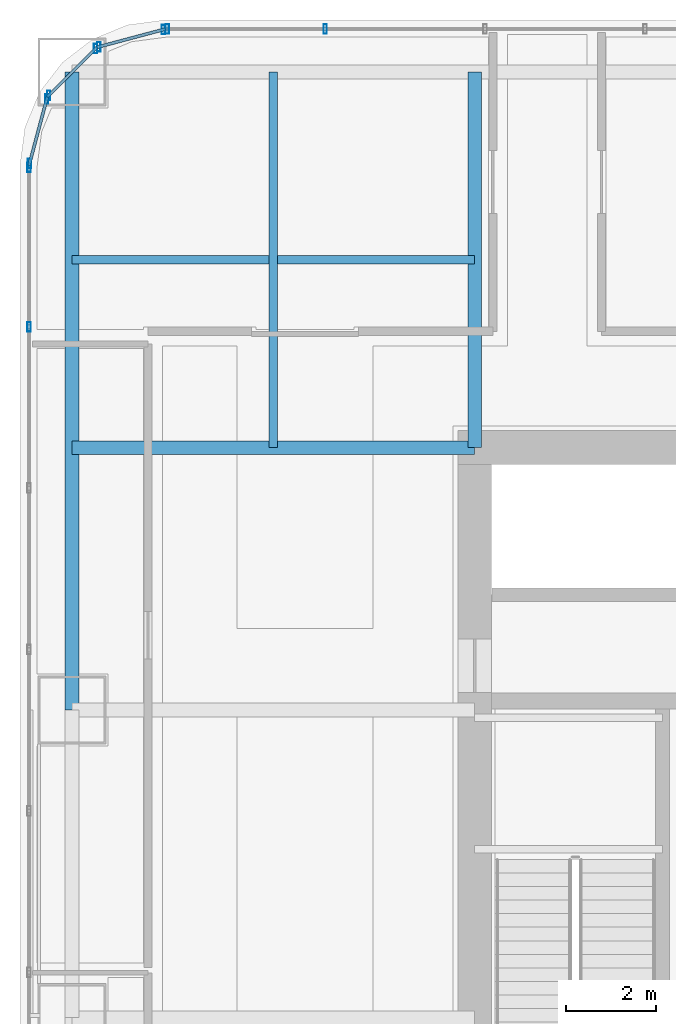
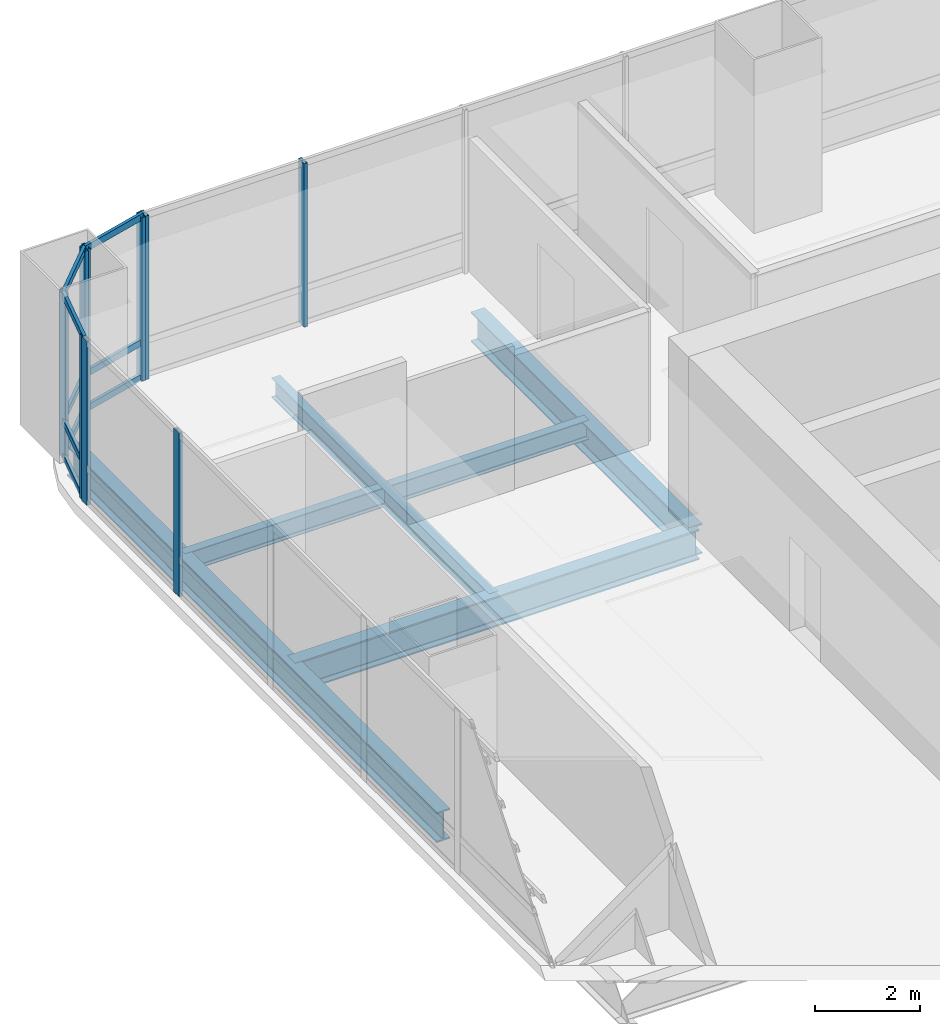
# One storey, part 18 of 35: 19 members, 5 beams, 5 elements without a shape of their own.
"""IFC4 building model written with IfcOpenShell, lengths in metres."""

import ifcopenshell
import ifcopenshell.guid

model = None  # the IFC model being written
_history = None  # IfcOwnerHistory: only IFC2X3 demands one
_inside = {}  # id of a spatial element -> (the spatial element, [elements in it])
_under = {}  # id of a project, library or spatial element -> (it, [spatial elements below it])
_declared = {}  # id of a project -> (the project, [libraries it declares])
_typed = {}  # id of a type object -> (the type object, [elements of that type])
_made_of = {}  # id of a material, layer set ... -> (it, [elements and type objects made of it])


def new_model(schema):
    """Start an empty IFC model of exactly this schema.

    Asked for "IFC4X3", IfcOpenShell would pick the latest addendum, in which some entities
    have other attributes; the version numbers below select the first issue.
    IFC2X3 requires an IfcOwnerHistory on every rooted entity: one is made here for all.
    """
    global model, _history
    if schema == "IFC4X3":
        model = ifcopenshell.file(schema_version=(4, 3, 0, 0))
    else:
        model = ifcopenshell.file(schema=schema)
    _inside.clear()
    _under.clear()
    _declared.clear()
    _typed.clear()
    _made_of.clear()
    _history = None
    if model.schema == "IFC2X3":
        org = make("IfcOrganization", Name="unknown")
        user = make(
            "IfcPersonAndOrganization",
            ThePerson=make("IfcPerson", FamilyName="unknown"),
            TheOrganization=org,
        )
        app = make(
            "IfcApplication",
            ApplicationDeveloper=org,
            Version="unknown",
            ApplicationFullName="unknown",
            ApplicationIdentifier="unknown",
        )
        _history = make(
            "IfcOwnerHistory",
            OwningUser=user,
            OwningApplication=app,
            ChangeAction="ADDED",
            CreationDate=0,
        )
    return model


def make(cls, **values):
    """One entity of the class cls with the attributes given. An attribute that is None is left unset."""
    return model.create_entity(
        cls, **{name: value for name, value in values.items() if value is not None}
    )


def rooted(cls, **values):
    """An entity with a GlobalId (a new one), such as an element, a storey or a relation."""
    return make(cls, GlobalId=ifcopenshell.guid.new(), OwnerHistory=_history, **values)


def si_unit(unit_type, name, prefix=None):
    """IfcSIUnit, for example si_unit("LENGTHUNIT", "METRE", prefix="MILLI")."""
    return make("IfcSIUnit", UnitType=unit_type, Prefix=prefix, Name=name)


def assignment(units):
    """IfcUnitAssignment: the units of a project."""
    return None if units is None else make("IfcUnitAssignment", Units=units)


def point(xyz):
    """IfcCartesianPoint."""
    return None if xyz is None else make("IfcCartesianPoint", Coordinates=xyz)


def direction(xyz):
    """IfcDirection."""
    return None if xyz is None else make("IfcDirection", DirectionRatios=xyz)


def frame(location, z_axis=None, x_axis=None):
    """IfcAxis2Placement3D, a coordinate frame: its origin and axes. An axis left out is left unset."""
    return make(
        "IfcAxis2Placement3D",
        Location=point(location),
        Axis=direction(z_axis),
        RefDirection=direction(x_axis),
    )


def frame_2d(location, x_axis=None):
    """IfcAxis2Placement2D, a coordinate frame in the plane: its origin and x axis."""
    return make(
        "IfcAxis2Placement2D", Location=point(location), RefDirection=direction(x_axis)
    )


def origin():
    """The frame at (0, 0, 0) with its axes left unset."""
    return frame((0.0, 0.0, 0.0))


def origin_2d():
    """The frame at (0, 0) in the plane with its x axis left unset."""
    return frame_2d((0.0, 0.0))


def place(relative_to, where):
    """IfcLocalPlacement: puts the frame where relative to a parent placement (None: the world)."""
    return make(
        "IfcLocalPlacement", PlacementRelTo=relative_to, RelativePlacement=where
    )


def context(
    kind, dimensions, precision=None, world=None, true_north=None, identifier=None
):
    """IfcGeometricRepresentationContext, for example the 3D "Model" context."""
    return make(
        "IfcGeometricRepresentationContext",
        ContextIdentifier=identifier,
        ContextType=kind,
        CoordinateSpaceDimension=dimensions,
        Precision=precision,
        WorldCoordinateSystem=world,
        TrueNorth=true_north,
    )


def subcontext(parent, identifier, kind, view, scale=None):
    """IfcGeometricRepresentationSubContext, for example "Body" below "Model"."""
    return make(
        "IfcGeometricRepresentationSubContext",
        ContextIdentifier=identifier,
        ContextType=kind,
        ParentContext=parent,
        TargetScale=scale,
        TargetView=view,
    )


def project(units=None, contexts=None):
    """IfcProject with its units and contexts."""
    return rooted(
        "IfcProject",
        Name="project",
        RepresentationContexts=contexts,
        UnitsInContext=assignment(units),
    )


def spatial(cls, under=None, at=None, **own):
    """A site, building, storey or space (cls), placed at a placement, below another one or the project."""
    s = rooted(cls, ObjectPlacement=at, **own)
    if under is not None:
        _under.setdefault(under.id(), (under, []))[1].append(s)
    return s


def profile(cls, at=None, kind="AREA", **sizes):
    """A parametric profile (cls). Its sizes go by their IFC names, for example OverallWidth=200.0."""
    return make(cls, ProfileType=kind, Position=at, **sizes)


def hollow_rectangle(**sizes):
    """IfcRectangleHollowProfileDef."""
    return profile("IfcRectangleHollowProfileDef", **sizes)


def i_section(**sizes):
    """IfcIShapeProfileDef."""
    return profile("IfcIShapeProfileDef", **sizes)


def extrude(swept, where, along, depth):
    """IfcExtrudedAreaSolid: the profile swept, set in the frame where, extruded along a direction by depth."""
    return make(
        "IfcExtrudedAreaSolid",
        SweptArea=swept,
        Position=where,
        ExtrudedDirection=direction(along),
        Depth=depth,
    )


def shape(context_of_items, identifier, shape_type, items):
    """IfcShapeRepresentation: the items that make up one representation, for example the "Body"."""
    return make(
        "IfcShapeRepresentation",
        ContextOfItems=context_of_items,
        RepresentationIdentifier=identifier,
        RepresentationType=shape_type,
        Items=items,
    )


def material(Name=None, Category=None):
    """IfcMaterial."""
    return make("IfcMaterial", Name=Name, Category=Category)


def material_profile(
    of_material, cross_section, Name=None, Category=None, Priority=None
):
    """IfcMaterialProfile: a cross section and its material."""
    return make(
        "IfcMaterialProfile",
        Name=Name,
        Material=of_material,
        Profile=cross_section,
        Priority=Priority,
        Category=Category,
    )


def profile_set(profiles, Name=None, composite=None):
    """IfcMaterialProfileSet."""
    return make(
        "IfcMaterialProfileSet",
        Name=Name,
        MaterialProfiles=profiles,
        CompositeProfile=composite,
    )


def made_of(thing, what):
    """Note that an element or type object is made of a material, layer set ...; save() writes the relation."""
    if what is not None:
        _made_of.setdefault(what.id(), (what, []))[1].append(thing)
    return thing


def type_object(cls, material=None, **own):
    """A type object (cls), such as IfcWallType, which elements share."""
    return made_of(rooted(cls, **own), material)


def element(
    cls,
    number,
    at=None,
    inside=None,
    cuts=None,
    type_object=None,
    material=None,
    context=None,
    identifier="Body",
    shape_type=None,
    held_by="IfcProductDefinitionShape",
    body=None,
    shapes=None,
    **own,
):
    """One element of the class cls, such as IfcWall. Its Tag is "e" and its number.

    at: its placement. inside: the storey or other place that contains it. cuts: it is an
    opening in that element (IfcRelVoidsElement). A single representation is given by context,
    identifier, shape_type and body (its items); several are given by shapes. held_by: the class
    of the entity that holds the representations. save() writes the other relations.
    """
    e = rooted(cls, Tag="e%d" % number, ObjectPlacement=at, **own)
    if body is not None:
        shapes = [shape(context, identifier, shape_type, body)]
    if shapes is not None:
        e.Representation = make(held_by, Representations=shapes)
    if inside is not None:
        _inside.setdefault(inside.id(), (inside, []))[1].append(e)
    if cuts is not None:
        rooted(
            "IfcRelVoidsElement", RelatingBuildingElement=cuts, RelatedOpeningElement=e
        )
    if type_object is not None:
        _typed.setdefault(type_object.id(), (type_object, []))[1].append(e)
    return made_of(e, material)


def aggregate(whole, parts):
    """IfcRelAggregates: a whole, such as a stair, and the parts it consists of."""
    return rooted("IfcRelAggregates", RelatingObject=whole, RelatedObjects=parts)


def save(model, path):
    """Write the relations noted so far, then the file.

    IfcRelAggregates (storeys below a building ...), IfcRelContainedInSpatialStructure (elements
    in a storey), IfcRelDefinesByType, IfcRelAssociatesMaterial and IfcRelDeclares: one each for
    every whole, place, type object, material and project.
    """
    for whole, parts in _under.values():
        aggregate(whole, parts)
    for where, things in _inside.values():
        rooted(
            "IfcRelContainedInSpatialStructure",
            RelatedElements=things,
            RelatingStructure=where,
        )
    for kind, things in _typed.values():
        rooted("IfcRelDefinesByType", RelatedObjects=things, RelatingType=kind)
    for what, things in _made_of.values():
        rooted("IfcRelAssociatesMaterial", RelatedObjects=things, RelatingMaterial=what)
    for by, libraries in _declared.values():
        rooted("IfcRelDeclares", RelatingContext=by, RelatedDefinitions=libraries)
    model.write(path)


model = new_model("IFC4")

# Units and contexts
model_context = context("Model", 3, precision=1e-05, world=origin(), true_north=direction((0.0, 1.0)))
body_context = subcontext(model_context, "Body", "Model", "MODEL_VIEW")
ifc_project = project(units=[si_unit("LENGTHUNIT", "METRE"), si_unit("AREAUNIT", "SQUARE_METRE"), si_unit("VOLUMEUNIT", "CUBIC_METRE"), si_unit("PLANEANGLEUNIT", "RADIAN"), si_unit("MASSUNIT", "GRAM", prefix="KILO")], contexts=[model_context])

# Site, building, storey
site_placement = place(None, origin())
site = spatial("IfcSite", under=ifc_project, at=site_placement, CompositionType="ELEMENT")
building_placement = place(site_placement, origin())
building = spatial("IfcBuilding", under=site, at=building_placement, Name="Punatoya Terracotta Tower", CompositionType="ELEMENT")
storey_placement = place(building_placement, frame((0.0, 0.0, 68.699951171875)))
storey = spatial("IfcBuildingStorey", under=building, at=storey_placement, Name="L15", CompositionType="ELEMENT", Elevation=68.699951171875)

# Beams
ifc_material_1 = material(Name="Steel S355", Category="steel")
ifc_material_profile_1 = material_profile(ifc_material_1, i_section(OverallWidth=0.300048828125, OverallDepth=0.699951171875, WebThickness=0.01708984375, FlangeThickness=0.031982421875, FilletRadius=0.01806640625, at=origin_2d()))
ifc_profile_set_1 = profile_set([ifc_material_profile_1], Name="Steel S355")
beam_type_1 = type_object("IfcBeamType", Name="BM-PRI-700", PredefinedType="BEAM", material=ifc_profile_set_1)
beam_1_placement = place(storey_placement, frame((-19.10009765625, 3.39990234375, -0.58984375), z_axis=(0.0, 1.0, 0.0), x_axis=(-1.0, 0.0, 0.0)))
element("IfcBeam", 1, at=beam_1_placement, inside=storey, type_object=beam_type_1, Name="BM-L15-RG-W3", PredefinedType="BEAM", context=body_context, shape_type="SweptSolid", body=[
    extrude(i_section(OverallWidth=0.300048828125, OverallDepth=0.699951171875, WebThickness=0.01708984375, FlangeThickness=0.031982421875, FilletRadius=0.01806640625, at=origin_2d()), origin(), (0.0, 0.0, 1.0), 14.10009765625),
])
beam_2_placement = place(storey_placement, frame((-19.10009765625, 9.199951171875, -0.58984375), z_axis=(1.0, 0.0, 0.0), x_axis=(0.0, 1.0, 0.0)))
element("IfcBeam", 2, at=beam_2_placement, inside=storey, type_object=beam_type_1, Name="BM-L15-PR-WN", PredefinedType="BEAM", context=body_context, shape_type="SweptSolid", body=[
    extrude(i_section(OverallWidth=0.300048828125, OverallDepth=0.699951171875, WebThickness=0.01708984375, FlangeThickness=0.031982421875, FilletRadius=0.01806640625, at=origin_2d()), origin(), (0.0, 0.0, 1.0), 8.900146484375),
])
beam_3_placement = place(storey_placement, frame((-10.199951171875, 9.199951171875, -0.58984375), z_axis=(0.0, 1.0, 0.0), x_axis=(-1.0, 0.0, 0.0)))
element("IfcBeam", 3, at=beam_3_placement, inside=storey, type_object=beam_type_1, Name="BM-L15-PR-N1", PredefinedType="BEAM", context=body_context, shape_type="SweptSolid", body=[
    extrude(i_section(OverallWidth=0.300048828125, OverallDepth=0.699951171875, WebThickness=0.01708984375, FlangeThickness=0.031982421875, FilletRadius=0.01806640625, at=origin_2d()), origin(), (0.0, 0.0, 1.0), 8.300048828125),
])
ifc_material_profile_2 = material_profile(ifc_material_1, i_section(OverallWidth=0.18994140625, OverallDepth=0.449951171875, WebThickness=0.009521484375, FlangeThickness=0.0146484375, FilletRadius=0.01806640625, at=origin_2d()))
ifc_profile_set_2 = profile_set([ifc_material_profile_2], Name="Steel S355")
beam_type_2 = type_object("IfcBeamType", Name="BM-SEC-450", PredefinedType="JOIST", material=ifc_profile_set_2)
beam_4_placement = place(storey_placement, frame((-19.10009765625, 13.35009765625, -0.46484375), z_axis=(1.0, 0.0, 0.0), x_axis=(0.0, 1.0, 0.0)))
element("IfcBeam", 4, at=beam_4_placement, inside=storey, type_object=beam_type_2, Name="BM-L15-SJN-1", PredefinedType="JOIST", context=body_context, shape_type="SweptSolid", body=[
    extrude(i_section(OverallWidth=0.18994140625, OverallDepth=0.449951171875, WebThickness=0.009521484375, FlangeThickness=0.0146484375, FilletRadius=0.01806640625, at=origin_2d()), origin(), (0.0, 0.0, 1.0), 8.900146484375),
])
beam_5_placement = place(storey_placement, frame((-14.64990234375, 9.199951171875, -0.46484375), z_axis=(0.0, 1.0, 0.0), x_axis=(-1.0, 0.0, 0.0)))
element("IfcBeam", 5, at=beam_5_placement, inside=storey, type_object=beam_type_2, Name="BM-L15-SJW-2", PredefinedType="JOIST", context=body_context, shape_type="SweptSolid", body=[
    extrude(i_section(OverallWidth=0.18994140625, OverallDepth=0.449951171875, WebThickness=0.009521484375, FlangeThickness=0.0146484375, FilletRadius=0.01806640625, at=origin_2d()), origin(), (0.0, 0.0, 1.0), 8.300048828125),
])

# Curtain wall, members
ifc_material_2 = material(Name="Aluminium 6063-T6 + Double Low-E Glass", Category="aluminium")
curtain_wall_type = type_object("IfcCurtainWallType", Name="CW-M1", PredefinedType="NOTDEFINED", material=ifc_material_2)
curtain_wall_1_placement = place(storey_placement, origin())
curtain_wall_1 = element("IfcCurtainWall", 6, at=curtain_wall_1_placement, inside=storey, type_object=curtain_wall_type, Name="L15 Curtain Wall CW-L15-N09-1", PredefinedType="NOTDEFINED")
ifc_material_3 = material(Name="Aluminium 6063-T6", Category="aluminium")
ifc_material_profile_3 = material_profile(ifc_material_3, hollow_rectangle(XDim=0.074951171875, YDim=0.2099609375, WallThickness=0.00439453125, at=origin_2d()))
ifc_profile_set_3 = profile_set([ifc_material_profile_3], Name="Aluminium 6063-T6")
member_type_1 = type_object("IfcMemberType", Name="CW-MUL-M1", PredefinedType="MULLION", material=ifc_profile_set_3)
member_1_placement = place(storey_placement, frame((-13.5029296875, 18.449951171875, 0.0), z_axis=(0.0, 0.0, 1.0), x_axis=(1.0, 0.0, 0.0)))
member_1 = element("IfcMember", 7, at=member_1_placement, type_object=member_type_1, Name="CW-L15-N09-1 Mullion 10", PredefinedType="MULLION", context=body_context, shape_type="SweptSolid", body=[
    extrude(hollow_rectangle(XDim=0.074951171875, YDim=0.2099609375, WallThickness=0.00439453125, at=origin_2d()), origin(), (0.0, 0.0, 1.0), 3.81005859375),
])
member_2_placement = place(storey_placement, frame((-16.991943359375, 18.449951171875, 0.0), z_axis=(0.0, 0.0, 1.0), x_axis=(1.0, 0.0, 0.0)))
member_2 = element("IfcMember", 8, at=member_2_placement, type_object=member_type_1, Name="CW-L15-N09-1 Mullion 11", PredefinedType="MULLION", context=body_context, shape_type="SweptSolid", body=[
    extrude(hollow_rectangle(XDim=0.074951171875, YDim=0.2099609375, WallThickness=0.00439453125, at=origin_2d()), origin(), (0.0, 0.0, 1.0), 3.81005859375),
])
aggregate(curtain_wall_1, [member_1, member_2])

curtain_wall_2_placement = place(storey_placement, origin())
curtain_wall_2 = element("IfcCurtainWall", 9, at=curtain_wall_2_placement, inside=storey, type_object=curtain_wall_type, Name="L15 Curtain Wall CW-L15-CRN10", PredefinedType="NOTDEFINED")
member_3_placement = place(storey_placement, frame((-17.080322265625, 18.4384765625, 0.0), z_axis=(0.0, 0.0, 1.0), x_axis=(1.0, 0.0, 0.0)))
member_3 = element("IfcMember", 10, at=member_3_placement, type_object=member_type_1, Name="CW-L15-CRN10 Mullion 00", PredefinedType="MULLION", context=body_context, shape_type="SweptSolid", body=[
    extrude(hollow_rectangle(XDim=0.074951171875, YDim=0.2099609375, WallThickness=0.00439453125, at=origin_2d()), origin(), (0.0, 0.0, 1.0), 3.81005859375),
])
member_4_placement = place(storey_placement, frame((-18.505615234375, 18.05810546875, 0.0), z_axis=(0.0, 0.0, 1.0), x_axis=(1.0, 0.0, 0.0)))
member_4 = element("IfcMember", 11, at=member_4_placement, type_object=member_type_1, Name="CW-L15-CRN10 Mullion 01", PredefinedType="MULLION", context=body_context, shape_type="SweptSolid", body=[
    extrude(hollow_rectangle(XDim=0.074951171875, YDim=0.2099609375, WallThickness=0.00439453125, at=origin_2d()), origin(), (0.0, 0.0, 1.0), 3.81005859375),
])

curtain_wall_3_placement = place(storey_placement, origin())
curtain_wall_3 = element("IfcCurtainWall", 12, at=curtain_wall_3_placement, inside=storey, type_object=curtain_wall_type, Name="L15 Curtain Wall CW-L15-CRN11", PredefinedType="NOTDEFINED")
member_5_placement = place(storey_placement, frame((-18.580810546875, 18.014892578125, 0.0), z_axis=(0.0, 0.0, 1.0), x_axis=(1.0, 0.0, 0.0)))
member_5 = element("IfcMember", 13, at=member_5_placement, type_object=member_type_1, Name="CW-L15-CRN11 Mullion 00", PredefinedType="MULLION", context=body_context, shape_type="SweptSolid", body=[
    extrude(hollow_rectangle(XDim=0.074951171875, YDim=0.2099609375, WallThickness=0.00439453125, at=origin_2d()), origin(), (0.0, 0.0, 1.0), 3.81005859375),
])
member_6_placement = place(storey_placement, frame((-19.61474609375, 16.98095703125, 0.0), z_axis=(0.0, 0.0, 1.0), x_axis=(1.0, 0.0, 0.0)))
member_6 = element("IfcMember", 14, at=member_6_placement, type_object=member_type_1, Name="CW-L15-CRN11 Mullion 01", PredefinedType="MULLION", context=body_context, shape_type="SweptSolid", body=[
    extrude(hollow_rectangle(XDim=0.074951171875, YDim=0.2099609375, WallThickness=0.00439453125, at=origin_2d()), origin(), (0.0, 0.0, 1.0), 3.81005859375),
])

curtain_wall_4_placement = place(storey_placement, origin())
curtain_wall_4 = element("IfcCurtainWall", 15, at=curtain_wall_4_placement, inside=storey, type_object=curtain_wall_type, Name="L15 Curtain Wall CW-L15-CRN12", PredefinedType="NOTDEFINED")
member_7_placement = place(storey_placement, frame((-19.658203125, 16.905517578125, 0.0), z_axis=(0.0, 0.0, 1.0), x_axis=(1.0, 0.0, 0.0)))
member_7 = element("IfcMember", 16, at=member_7_placement, type_object=member_type_1, Name="CW-L15-CRN12 Mullion 00", PredefinedType="MULLION", context=body_context, shape_type="SweptSolid", body=[
    extrude(hollow_rectangle(XDim=0.074951171875, YDim=0.2099609375, WallThickness=0.00439453125, at=origin_2d()), origin(), (0.0, 0.0, 1.0), 3.81005859375),
])
member_8_placement = place(storey_placement, frame((-20.038330078125, 15.48046875, 0.0), z_axis=(0.0, 0.0, 1.0), x_axis=(1.0, 0.0, 0.0)))
member_8 = element("IfcMember", 17, at=member_8_placement, type_object=member_type_1, Name="CW-L15-CRN12 Mullion 01", PredefinedType="MULLION", context=body_context, shape_type="SweptSolid", body=[
    extrude(hollow_rectangle(XDim=0.074951171875, YDim=0.2099609375, WallThickness=0.00439453125, at=origin_2d()), origin(), (0.0, 0.0, 1.0), 3.81005859375),
])

curtain_wall_5_placement = place(storey_placement, origin())
curtain_wall_5 = element("IfcCurtainWall", 18, at=curtain_wall_5_placement, inside=storey, type_object=curtain_wall_type, Name="L15 Curtain Wall CW-L15-W13-1", PredefinedType="NOTDEFINED")
member_9_placement = place(storey_placement, frame((-20.050048828125, 15.391845703125, 0.0), z_axis=(0.0, 0.0, 1.0), x_axis=(1.0, 0.0, 0.0)))
member_9 = element("IfcMember", 19, at=member_9_placement, type_object=member_type_1, Name="CW-L15-W13-1 Mullion 00", PredefinedType="MULLION", context=body_context, shape_type="SweptSolid", body=[
    extrude(hollow_rectangle(XDim=0.074951171875, YDim=0.2099609375, WallThickness=0.00439453125, at=origin_2d()), origin(), (0.0, 0.0, 1.0), 3.81005859375),
])
member_10_placement = place(storey_placement, frame((-20.050048828125, 11.869384765625, 0.0), z_axis=(0.0, 0.0, 1.0), x_axis=(1.0, 0.0, 0.0)))
member_10 = element("IfcMember", 20, at=member_10_placement, type_object=member_type_1, Name="CW-L15-W13-1 Mullion 01", PredefinedType="MULLION", context=body_context, shape_type="SweptSolid", body=[
    extrude(hollow_rectangle(XDim=0.074951171875, YDim=0.2099609375, WallThickness=0.00439453125, at=origin_2d()), origin(), (0.0, 0.0, 1.0), 3.81005859375),
])
aggregate(curtain_wall_5, [member_9, member_10])

# Member
ifc_material_profile_4 = material_profile(ifc_material_3, hollow_rectangle(XDim=0.068115234375, YDim=0.14990234375, WallThickness=0.00390625, at=origin_2d()))
ifc_profile_set_4 = profile_set([ifc_material_profile_4], Name="Aluminium 6063-T6")
member_type_2 = type_object("IfcMemberType", Name="CW-TRN-TYP", PredefinedType="USERDEFINED", material=ifc_profile_set_4)
member_11_placement = place(storey_placement, frame((-17.036865234375, 18.449951171875, 0.0400390625), z_axis=(-0.966224582397, -0.257701486942, 0.0), x_axis=(0.257701486942, -0.966224582397, 0.0)))
member_11 = element("IfcMember", 21, at=member_11_placement, type_object=member_type_2, Name="CW-L15-CRN10 Transom 1", ObjectType="TRANSOM", PredefinedType="USERDEFINED", context=body_context, shape_type="SweptSolid", body=[
    extrude(hollow_rectangle(XDim=0.068115234375, YDim=0.14990234375, WallThickness=0.00390625, at=origin_2d()), origin(), (0.0, 0.0, 1.0), 1.565185546875),
])

member_12_placement = place(storey_placement, frame((-17.036865234375, 18.449951171875, 0.85009765625), z_axis=(-0.966224582397, -0.257701486942, 0.0), x_axis=(0.257701486942, -0.966224582397, 0.0)))
member_12 = element("IfcMember", 22, at=member_12_placement, type_object=member_type_2, Name="CW-L15-CRN10 Transom 2", ObjectType="TRANSOM", PredefinedType="USERDEFINED", context=body_context, shape_type="SweptSolid", body=[
    extrude(hollow_rectangle(XDim=0.068115234375, YDim=0.14990234375, WallThickness=0.00390625, at=origin_2d()), origin(), (0.0, 0.0, 1.0), 1.565185546875),
])

member_13_placement = place(storey_placement, frame((-17.036865234375, 18.449951171875, 3.77001953125), z_axis=(-0.966224582397, -0.257701486942, 0.0), x_axis=(0.257701486942, -0.966224582397, 0.0)))
member_13 = element("IfcMember", 23, at=member_13_placement, type_object=member_type_2, Name="CW-L15-CRN10 Transom 3", ObjectType="TRANSOM", PredefinedType="USERDEFINED", context=body_context, shape_type="SweptSolid", body=[
    extrude(hollow_rectangle(XDim=0.068115234375, YDim=0.14990234375, WallThickness=0.00390625, at=origin_2d()), origin(), (0.0, 0.0, 1.0), 1.565185546875),
])

aggregate(curtain_wall_2, [member_3, member_4, member_11, member_12, member_13])

member_14_placement = place(storey_placement, frame((-18.549072265625, 18.046630859375, 0.0400390625), z_axis=(-0.707106781187, -0.707106781187, 0.0), x_axis=(0.707106781187, -0.707106781187, 0.0)))
member_14 = element("IfcMember", 24, at=member_14_placement, type_object=member_type_2, Name="CW-L15-CRN11 Transom 1", ObjectType="TRANSOM", PredefinedType="USERDEFINED", context=body_context, shape_type="SweptSolid", body=[
    extrude(hollow_rectangle(XDim=0.068115234375, YDim=0.14990234375, WallThickness=0.00390625, at=origin_2d()), origin(), (0.0, 0.0, 1.0), 1.552001953125),
])

member_15_placement = place(storey_placement, frame((-18.549072265625, 18.046630859375, 0.85009765625), z_axis=(-0.707106781187, -0.707106781187, 0.0), x_axis=(0.707106781187, -0.707106781187, 0.0)))
member_15 = element("IfcMember", 25, at=member_15_placement, type_object=member_type_2, Name="CW-L15-CRN11 Transom 2", ObjectType="TRANSOM", PredefinedType="USERDEFINED", context=body_context, shape_type="SweptSolid", body=[
    extrude(hollow_rectangle(XDim=0.068115234375, YDim=0.14990234375, WallThickness=0.00390625, at=origin_2d()), origin(), (0.0, 0.0, 1.0), 1.552001953125),
])

member_16_placement = place(storey_placement, frame((-18.549072265625, 18.046630859375, 3.77001953125), z_axis=(-0.707106781187, -0.707106781187, 0.0), x_axis=(0.707106781187, -0.707106781187, 0.0)))
member_16 = element("IfcMember", 26, at=member_16_placement, type_object=member_type_2, Name="CW-L15-CRN11 Transom 3", ObjectType="TRANSOM", PredefinedType="USERDEFINED", context=body_context, shape_type="SweptSolid", body=[
    extrude(hollow_rectangle(XDim=0.068115234375, YDim=0.14990234375, WallThickness=0.00390625, at=origin_2d()), origin(), (0.0, 0.0, 1.0), 1.552001953125),
])

aggregate(curtain_wall_3, [member_5, member_6, member_14, member_15, member_16])

member_17_placement = place(storey_placement, frame((-19.646484375, 16.94921875, 0.0400390625), z_axis=(-0.257847112249, -0.966185730957, 0.0), x_axis=(0.966185730957, -0.257847112249, 0.0)))
member_17 = element("IfcMember", 27, at=member_17_placement, type_object=member_type_2, Name="CW-L15-CRN12 Transom 1", ObjectType="TRANSOM", PredefinedType="USERDEFINED", context=body_context, shape_type="SweptSolid", body=[
    extrude(hollow_rectangle(XDim=0.068115234375, YDim=0.14990234375, WallThickness=0.00390625, at=origin_2d()), origin(), (0.0, 0.0, 1.0), 1.565185546875),
])

member_18_placement = place(storey_placement, frame((-19.646484375, 16.94921875, 0.85009765625), z_axis=(-0.257847112249, -0.966185730957, 0.0), x_axis=(0.966185730957, -0.257847112249, 0.0)))
member_18 = element("IfcMember", 28, at=member_18_placement, type_object=member_type_2, Name="CW-L15-CRN12 Transom 2", ObjectType="TRANSOM", PredefinedType="USERDEFINED", context=body_context, shape_type="SweptSolid", body=[
    extrude(hollow_rectangle(XDim=0.068115234375, YDim=0.14990234375, WallThickness=0.00390625, at=origin_2d()), origin(), (0.0, 0.0, 1.0), 1.565185546875),
])

member_19_placement = place(storey_placement, frame((-19.646484375, 16.94921875, 3.77001953125), z_axis=(-0.257847112249, -0.966185730957, 0.0), x_axis=(0.966185730957, -0.257847112249, 0.0)))
member_19 = element("IfcMember", 29, at=member_19_placement, type_object=member_type_2, Name="CW-L15-CRN12 Transom 3", ObjectType="TRANSOM", PredefinedType="USERDEFINED", context=body_context, shape_type="SweptSolid", body=[
    extrude(hollow_rectangle(XDim=0.068115234375, YDim=0.14990234375, WallThickness=0.00390625, at=origin_2d()), origin(), (0.0, 0.0, 1.0), 1.565185546875),
])

aggregate(curtain_wall_4, [member_7, member_8, member_17, member_18, member_19])

save(model, "model.ifc")
